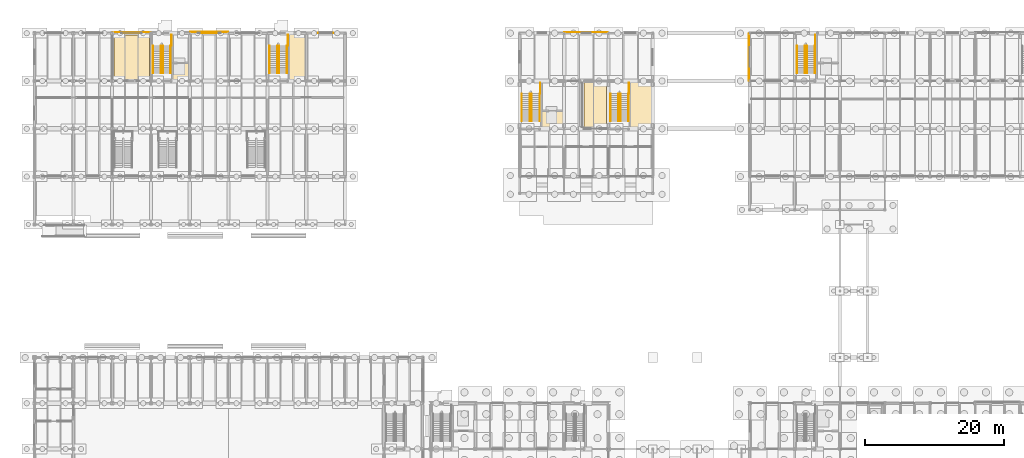
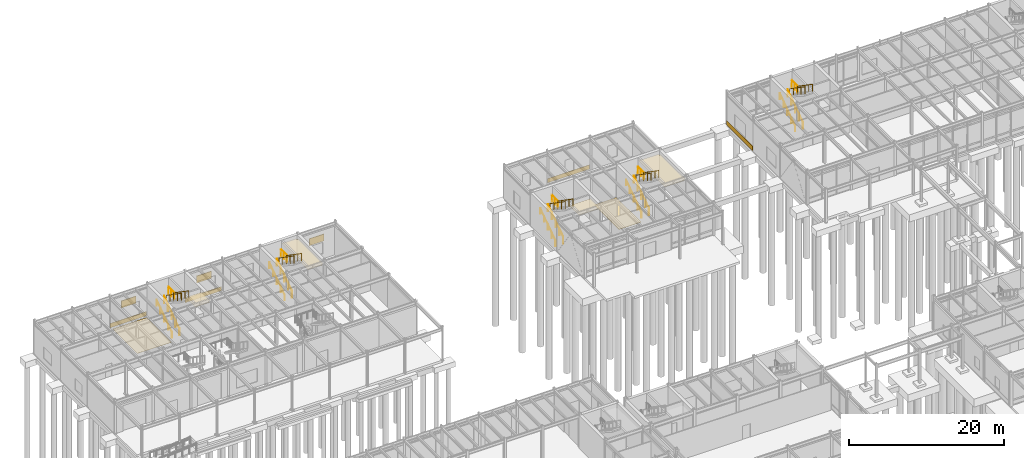
# One storey, part 80 of 82: 25 railings, 10 coverings, 3 shading devices.
"""IFC4 building model written with IfcOpenShell, lengths in metres."""

from ifc_helpers import new_model, si_unit, direction, frame, origin, origin_2d, place, context, subcontext, project, spatial, polyline, rectangle, circle, outline, extrude, material, layer, layer_set, type_object, element, save


model = new_model("IFC4")

# Units and contexts
model_context = context("Model", 3, precision=1e-05, world=origin(), true_north=direction((0.0, 1.0)))
body_context = subcontext(model_context, "Body", "Model", "MODEL_VIEW")
ifc_project = project(units=[si_unit("LENGTHUNIT", "METRE"), si_unit("AREAUNIT", "SQUARE_METRE"), si_unit("VOLUMEUNIT", "CUBIC_METRE"), si_unit("PLANEANGLEUNIT", "RADIAN"), si_unit("MASSUNIT", "GRAM", prefix="KILO")], contexts=[model_context])

# Site, building, storey
site_placement = place(None, origin())
site = spatial("IfcSite", under=ifc_project, at=site_placement, CompositionType="ELEMENT")
building_placement = place(site_placement, origin())
building = spatial("IfcBuilding", under=site, at=building_placement, Name="Trelmorton Wharf Fire Station", CompositionType="ELEMENT")
storey_placement = place(building_placement, origin())
storey = spatial("IfcBuildingStorey", under=building, at=storey_placement, Name="L00", CompositionType="ELEMENT", Elevation=0.0)

# Coverings
ifc_material_1 = material(Name="Mineral fibre acoustic ceiling")
ifc_layer_1 = layer(ifc_material_1, 0.02001953125)
ifc_layer_set_1 = layer_set([ifc_layer_1], Name="Mineral fibre acoustic ceiling")
covering_type_1 = type_object("IfcCoveringType", Name="CV_CEIL_ACOU", PredefinedType="CEILING", material=ifc_layer_set_1)
covering_1_placement = place(storey_placement, frame((0.0, 0.0, 4.47998046875)))
element("IfcCovering", 1, at=covering_1_placement, inside=storey, type_object=covering_type_1, Name="CV-CLG-029", PredefinedType="CEILING", context=body_context, shape_type="SweptSolid", body=[
    extrude(outline(polyline([(20.760009765625, 74.139892578125), (20.760009765625, 76.659912109375), (23.159912109375, 76.659912109375), (23.159912109375, 74.39990234375), (22.89990234375, 74.39990234375), (22.89990234375, 74.139892578125), (20.760009765625, 74.139892578125)])), origin(), (0.0, 0.0, 1.0), 0.02001953125),
])
covering_2_placement = place(storey_placement, frame((0.0, 0.0, 4.47998046875)))
element("IfcCovering", 2, at=covering_2_placement, inside=storey, type_object=covering_type_1, Name="CV-CLG-032", PredefinedType="CEILING", context=body_context, shape_type="SweptSolid", body=[
    extrude(outline(polyline([(37.56005859375, 80.9599609375), (39.699951171875, 80.9599609375), (39.699951171875, 80.699951171875), (39.9599609375, 80.699951171875), (39.9599609375, 74.39990234375), (39.699951171875, 74.39990234375), (39.699951171875, 74.139892578125), (37.56005859375, 74.139892578125), (37.56005859375, 80.9599609375)])), origin(), (0.0, 0.0, 1.0), 0.02001953125),
])
covering_3_placement = place(storey_placement, frame((0.0, 0.0, 4.47998046875)))
element("IfcCovering", 3, at=covering_3_placement, inside=storey, type_object=covering_type_1, Name="CV-CLG-034", PredefinedType="CEILING", context=body_context, shape_type="SweptSolid", body=[
    extrude(outline(polyline([(73.9599609375, 67.239990234375), (73.9599609375, 69.760009765625), (77.159912109375, 69.760009765625), (77.159912109375, 67.5), (76.89990234375, 67.5), (76.89990234375, 67.239990234375), (73.9599609375, 67.239990234375)])), origin(), (0.0, 0.0, 1.0), 0.02001953125),
])
covering_4_placement = place(storey_placement, frame((0.0, 0.0, 4.47998046875)))
element("IfcCovering", 4, at=covering_4_placement, inside=storey, type_object=covering_type_1, Name="CV-CLG-041", PredefinedType="CEILING", context=body_context, shape_type="SweptSolid", body=[
    extrude(outline(polyline([(86.760009765625, 74.06005859375), (89.699951171875, 74.06005859375), (89.699951171875, 73.800048828125), (89.9599609375, 73.800048828125), (89.9599609375, 67.5), (89.699951171875, 67.5), (89.699951171875, 67.239990234375), (86.760009765625, 67.239990234375), (86.760009765625, 74.06005859375)])), origin(), (0.0, 0.0, 1.0), 0.02001953125),
])
ifc_material_2 = material(Name="Architectural terracotta cladding", Category="masonry")
ifc_layer_2 = layer(ifc_material_2, 0.044921875)
ifc_layer_set_2 = layer_set([ifc_layer_2], Name="Architectural terracotta cladding")
covering_type_2 = type_object("IfcCoveringType", Name="CV_CLAD_TER", PredefinedType="CLADDING", material=ifc_layer_set_2)
for number, where, z_axis, x_axis, name in (
    (5, (14.800048828125, 81.135009765625, 0.0302734375), (0.0, 0.0, 1.0), (1.0, 0.0, 0.0), "CV-TER-0021"),
    (6, (26.0, 81.1650390625, 0.0302734375), (0.0, 0.0, 1.0), (1.0, 0.0, 0.0), "CV-TER-0022"),
):
    element("IfcCovering", number, at=place(storey_placement, frame(where, z_axis=z_axis, x_axis=x_axis)), inside=storey, type_object=covering_type_2, Name=name, PredefinedType="CLADDING", context=body_context, shape_type="SweptSolid", body=[
        extrude(rectangle(XDim=5.469970703125, YDim=0.044921875, at=origin_2d()), origin(), (0.0, 0.0, 1.0), 0.659912109375),
    ])
covering_5_placement = place(storey_placement, frame((80.39990234375, 81.135009765625, 0.0302734375), z_axis=(0.0, 0.0, 1.0), x_axis=(1.0, 0.0, 0.0)))
element("IfcCovering", 7, at=covering_5_placement, inside=storey, type_object=covering_type_2, Name="CV-TER-0027", PredefinedType="CLADDING", context=body_context, shape_type="SweptSolid", body=[
    extrude(rectangle(XDim=6.27001953125, YDim=0.044921875, at=origin_2d()), origin(), (0.0, 0.0, 1.0), 0.659912109375),
])
covering_6_placement = place(storey_placement, frame((103.864990234375, 77.550048828125, 0.0302734375), z_axis=(0.0, 0.0, 1.0), x_axis=(0.0, 1.0, 0.0)))
element("IfcCovering", 8, at=covering_6_placement, inside=storey, type_object=covering_type_2, Name="CV-TER-0037", PredefinedType="CLADDING", context=body_context, shape_type="SweptSolid", body=[
    extrude(rectangle(XDim=6.77001953125, YDim=0.044921875, at=origin_2d()), origin(), (0.0, 0.0, 1.0), 0.659912109375),
])
ifc_material_3 = material(Name="Quarry tile wet-area flooring")
ifc_layer_3 = layer(ifc_material_3, 0.02001953125)
ifc_layer_set_3 = layer_set([ifc_layer_3], Name="Quarry tile wet-area flooring")
covering_type_3 = type_object("IfcCoveringType", Name="CV_FLOR_TILE", PredefinedType="FLOORING", material=ifc_layer_set_3)
covering_7_placement = place(storey_placement, origin())
element("IfcCovering", 9, at=covering_7_placement, inside=storey, type_object=covering_type_3, Name="CV-FLR-020", PredefinedType="FLOORING", context=body_context, shape_type="SweptSolid", body=[
    extrude(outline(polyline([(17.35009765625, 74.35009765625), (17.35009765625, 80.75), (12.25, 80.75), (12.25, 74.35009765625), (17.35009765625, 74.35009765625)])), origin(), (0.0, 0.0, 1.0), 0.02001953125),
])
covering_8_placement = place(storey_placement, origin())
element("IfcCovering", 10, at=covering_8_placement, inside=storey, type_object=covering_type_3, Name="CV-FLR-022", PredefinedType="FLOORING", context=body_context, shape_type="SweptSolid", body=[
    extrude(outline(polyline([(83.35009765625, 67.449951171875), (83.35009765625, 73.85009765625), (80.050048828125, 73.85009765625), (80.050048828125, 67.449951171875), (83.35009765625, 67.449951171875)])), origin(), (0.0, 0.0, 1.0), 0.02001953125),
])

# Railings
ifc_material_4 = material(Name="Stainless steel 316 marine grade", Category="steel")
railing_type_1 = type_object("IfcRailingType", Name="RL_HAND_900", PredefinedType="HANDRAIL", material=ifc_material_4)
for number, where, name in (
    (11, (17.909912109375, 75.239990234375, 0.0), "RL-HR1-STR-C5-L00-18"),
    (12, (34.7099609375, 75.239990234375, 0.0), "RL-HR1-STR-C5B-L00-20"),
    (13, (71.110107421875, 68.340087890625, 0.0), "RL-HR1-STR-C6-L00-21"),
    (14, (83.909912109375, 68.340087890625, 0.0), "RL-HR1-STR-C6B-L00-27"),
    (15, (110.81005859375, 75.239990234375, 0.0), "RL-HR1-STR-C7-L00-33"),
):
    element("IfcRailing", number, at=place(storey_placement, frame(where)), inside=storey, type_object=railing_type_1, Name=name, PredefinedType="HANDRAIL", context=body_context, shape_type="SweptSolid", body=[
        extrude(circle(Radius=0.02099609375, at=origin_2d()), frame((0.0, 0.0, 0.87890625), z_axis=(0.0, 0.823550731654, 0.567242622158), x_axis=(-1.0, 0.0, 0.0)), (0.0, 0.0, 1.0), 4.759765625),
        extrude(circle(Radius=0.02099609375, at=origin_2d()), origin(), (0.0, 0.0, 1.0), 0.85791015625),
        extrude(circle(Radius=0.02099609375, at=origin_2d()), frame((0.0, 0.97998046875, 0.675048828125)), (0.0, 0.0, 1.0), 0.85791015625),
        extrude(circle(Radius=0.02099609375, at=origin_2d()), frame((0.0, 1.9599609375, 1.35009765625)), (0.0, 0.0, 1.0), 0.85791015625),
        extrude(circle(Radius=0.02099609375, at=origin_2d()), frame((0.0, 2.93994140625, 2.02490234375)), (0.0, 0.0, 1.0), 0.85791015625),
        extrude(circle(Radius=0.02099609375, at=origin_2d()), frame((0.0, 3.919921875, 2.699951171875)), (0.0, 0.0, 1.0), 0.85791015625),
    ])
railing_type_2 = type_object("IfcRailingType", Name="RL_WELL_1100", PredefinedType="BALUSTRADE", material=ifc_material_4)
railing_1_placement = place(storey_placement, frame((20.554931640625, 80.735107421875, 2.699951171875)))
element("IfcRailing", 16, at=railing_1_placement, inside=storey, type_object=railing_type_2, Name="RL-GW-OUT1-STR-C5-L00-18", PredefinedType="BALUSTRADE", context=body_context, shape_type="SweptSolid", body=[
    extrude(circle(Radius=0.02392578125, at=origin_2d()), frame((0.0, 0.0, 1.09619140625), z_axis=(0.0, -1.0, 0.0), x_axis=(1.0, 0.0, 0.0)), (0.0, 0.0, 1.0), 1.53515625),
    extrude(circle(Radius=0.02099609375, at=origin_2d()), origin(), (0.0, 0.0, 1.0), 1.072021484375),
    extrude(circle(Radius=0.02099609375, at=origin_2d()), frame((0.0, -0.767578125, 0.0)), (0.0, 0.0, 1.0), 1.072021484375),
    extrude(circle(Radius=0.02099609375, at=origin_2d()), frame((0.0, -1.53515625, 0.0)), (0.0, 0.0, 1.0), 1.072021484375),
])
railing_2_placement = place(storey_placement, frame((20.409912109375, 79.159912109375, 2.699951171875)))
element("IfcRailing", 17, at=railing_2_placement, inside=storey, type_object=railing_type_2, Name="RL-GW-OUT2-STR-C5-L00-18", PredefinedType="BALUSTRADE", context=body_context, shape_type="SweptSolid", body=[
    extrude(circle(Radius=0.02392578125, at=origin_2d()), frame((0.0, 0.0, 1.09619140625), z_axis=(0.0, -0.823550731654, 0.567242622158), x_axis=(1.0, 0.0, 0.0)), (0.0, 0.0, 1.0), 4.759765625),
    extrude(circle(Radius=0.02099609375, at=origin_2d()), origin(), (0.0, 0.0, 1.0), 1.072021484375),
    extrude(circle(Radius=0.02099609375, at=origin_2d()), frame((0.0, -0.97998046875, 0.675048828125)), (0.0, 0.0, 1.0), 1.072021484375),
    extrude(circle(Radius=0.02099609375, at=origin_2d()), frame((0.0, -1.9599609375, 1.35009765625)), (0.0, 0.0, 1.0), 1.072021484375),
    extrude(circle(Radius=0.02099609375, at=origin_2d()), frame((0.0, -2.93994140625, 2.02490234375)), (0.0, 0.0, 1.0), 1.072021484375),
    extrude(circle(Radius=0.02099609375, at=origin_2d()), frame((0.0, -3.919921875, 2.699951171875)), (0.0, 0.0, 1.0), 1.072021484375),
])
railing_3_placement = place(storey_placement, frame((19.010009765625, 75.239990234375, 0.0)))
element("IfcRailing", 18, at=railing_3_placement, inside=storey, type_object=railing_type_2, Name="RL-GW-IN1-STR-C5-L00-18", PredefinedType="BALUSTRADE", context=body_context, shape_type="SweptSolid", body=[
    extrude(circle(Radius=0.02392578125, at=origin_2d()), frame((0.0, 0.0, 1.09619140625), z_axis=(0.0, 0.823550731654, 0.567242622158), x_axis=(-1.0, 0.0, 0.0)), (0.0, 0.0, 1.0), 4.759765625),
    extrude(circle(Radius=0.02099609375, at=origin_2d()), origin(), (0.0, 0.0, 1.0), 1.072021484375),
    extrude(circle(Radius=0.02099609375, at=origin_2d()), frame((0.0, 0.97998046875, 0.675048828125)), (0.0, 0.0, 1.0), 1.072021484375),
    extrude(circle(Radius=0.02099609375, at=origin_2d()), frame((0.0, 1.9599609375, 1.35009765625)), (0.0, 0.0, 1.0), 1.072021484375),
    extrude(circle(Radius=0.02099609375, at=origin_2d()), frame((0.0, 2.93994140625, 2.02490234375)), (0.0, 0.0, 1.0), 1.072021484375),
    extrude(circle(Radius=0.02099609375, at=origin_2d()), frame((0.0, 3.919921875, 2.699951171875)), (0.0, 0.0, 1.0), 1.072021484375),
])
railing_4_placement = place(storey_placement, frame((19.31005859375, 79.159912109375, 2.699951171875)))
element("IfcRailing", 19, at=railing_4_placement, inside=storey, type_object=railing_type_2, Name="RL-GW-IN2-STR-C5-L00-18", PredefinedType="BALUSTRADE", context=body_context, shape_type="SweptSolid", body=[
    extrude(circle(Radius=0.02392578125, at=origin_2d()), frame((0.0, 0.0, 1.09619140625), z_axis=(0.0, -0.823550731654, 0.567242622158), x_axis=(1.0, 0.0, 0.0)), (0.0, 0.0, 1.0), 4.759765625),
    extrude(circle(Radius=0.02099609375, at=origin_2d()), origin(), (0.0, 0.0, 1.0), 1.072021484375),
    extrude(circle(Radius=0.02099609375, at=origin_2d()), frame((0.0, -0.97998046875, 0.675048828125)), (0.0, 0.0, 1.0), 1.072021484375),
    extrude(circle(Radius=0.02099609375, at=origin_2d()), frame((0.0, -1.9599609375, 1.35009765625)), (0.0, 0.0, 1.0), 1.072021484375),
    extrude(circle(Radius=0.02099609375, at=origin_2d()), frame((0.0, -2.93994140625, 2.02490234375)), (0.0, 0.0, 1.0), 1.072021484375),
    extrude(circle(Radius=0.02099609375, at=origin_2d()), frame((0.0, -3.919921875, 2.699951171875)), (0.0, 0.0, 1.0), 1.072021484375),
])
railing_5_placement = place(storey_placement, frame((37.35498046875, 80.735107421875, 2.699951171875)))
element("IfcRailing", 20, at=railing_5_placement, inside=storey, type_object=railing_type_2, Name="RL-GW-OUT1-STR-C5B-L00-20", PredefinedType="BALUSTRADE", context=body_context, shape_type="SweptSolid", body=[
    extrude(circle(Radius=0.02392578125, at=origin_2d()), frame((0.0, 0.0, 1.09619140625), z_axis=(0.0, -1.0, 0.0), x_axis=(1.0, 0.0, 0.0)), (0.0, 0.0, 1.0), 1.53515625),
    extrude(circle(Radius=0.02099609375, at=origin_2d()), origin(), (0.0, 0.0, 1.0), 1.072021484375),
    extrude(circle(Radius=0.02099609375, at=origin_2d()), frame((0.0, -0.767578125, 0.0)), (0.0, 0.0, 1.0), 1.072021484375),
    extrude(circle(Radius=0.02099609375, at=origin_2d()), frame((0.0, -1.53515625, 0.0)), (0.0, 0.0, 1.0), 1.072021484375),
])
railing_6_placement = place(storey_placement, frame((37.2099609375, 79.159912109375, 2.699951171875)))
element("IfcRailing", 21, at=railing_6_placement, inside=storey, type_object=railing_type_2, Name="RL-GW-OUT2-STR-C5B-L00-20", PredefinedType="BALUSTRADE", context=body_context, shape_type="SweptSolid", body=[
    extrude(circle(Radius=0.02392578125, at=origin_2d()), frame((0.0, 0.0, 1.09619140625), z_axis=(0.0, -0.823550731654, 0.567242622158), x_axis=(1.0, 0.0, 0.0)), (0.0, 0.0, 1.0), 4.759765625),
    extrude(circle(Radius=0.02099609375, at=origin_2d()), origin(), (0.0, 0.0, 1.0), 1.072021484375),
    extrude(circle(Radius=0.02099609375, at=origin_2d()), frame((0.0, -0.97998046875, 0.675048828125)), (0.0, 0.0, 1.0), 1.072021484375),
    extrude(circle(Radius=0.02099609375, at=origin_2d()), frame((0.0, -1.9599609375, 1.35009765625)), (0.0, 0.0, 1.0), 1.072021484375),
    extrude(circle(Radius=0.02099609375, at=origin_2d()), frame((0.0, -2.93994140625, 2.02490234375)), (0.0, 0.0, 1.0), 1.072021484375),
    extrude(circle(Radius=0.02099609375, at=origin_2d()), frame((0.0, -3.919921875, 2.699951171875)), (0.0, 0.0, 1.0), 1.072021484375),
])
railing_7_placement = place(storey_placement, frame((35.81005859375, 75.239990234375, 0.0)))
element("IfcRailing", 22, at=railing_7_placement, inside=storey, type_object=railing_type_2, Name="RL-GW-IN1-STR-C5B-L00-20", PredefinedType="BALUSTRADE", context=body_context, shape_type="SweptSolid", body=[
    extrude(circle(Radius=0.02392578125, at=origin_2d()), frame((0.0, 0.0, 1.09619140625), z_axis=(0.0, 0.823550731654, 0.567242622158), x_axis=(-1.0, 0.0, 0.0)), (0.0, 0.0, 1.0), 4.759765625),
    extrude(circle(Radius=0.02099609375, at=origin_2d()), origin(), (0.0, 0.0, 1.0), 1.072021484375),
    extrude(circle(Radius=0.02099609375, at=origin_2d()), frame((0.0, 0.97998046875, 0.675048828125)), (0.0, 0.0, 1.0), 1.072021484375),
    extrude(circle(Radius=0.02099609375, at=origin_2d()), frame((0.0, 1.9599609375, 1.35009765625)), (0.0, 0.0, 1.0), 1.072021484375),
    extrude(circle(Radius=0.02099609375, at=origin_2d()), frame((0.0, 2.93994140625, 2.02490234375)), (0.0, 0.0, 1.0), 1.072021484375),
    extrude(circle(Radius=0.02099609375, at=origin_2d()), frame((0.0, 3.919921875, 2.699951171875)), (0.0, 0.0, 1.0), 1.072021484375),
])
railing_8_placement = place(storey_placement, frame((36.110107421875, 79.159912109375, 2.699951171875)))
element("IfcRailing", 23, at=railing_8_placement, inside=storey, type_object=railing_type_2, Name="RL-GW-IN2-STR-C5B-L00-20", PredefinedType="BALUSTRADE", context=body_context, shape_type="SweptSolid", body=[
    extrude(circle(Radius=0.02392578125, at=origin_2d()), frame((0.0, 0.0, 1.09619140625), z_axis=(0.0, -0.823550731654, 0.567242622158), x_axis=(1.0, 0.0, 0.0)), (0.0, 0.0, 1.0), 4.759765625),
    extrude(circle(Radius=0.02099609375, at=origin_2d()), origin(), (0.0, 0.0, 1.0), 1.072021484375),
    extrude(circle(Radius=0.02099609375, at=origin_2d()), frame((0.0, -0.97998046875, 0.675048828125)), (0.0, 0.0, 1.0), 1.072021484375),
    extrude(circle(Radius=0.02099609375, at=origin_2d()), frame((0.0, -1.9599609375, 1.35009765625)), (0.0, 0.0, 1.0), 1.072021484375),
    extrude(circle(Radius=0.02099609375, at=origin_2d()), frame((0.0, -2.93994140625, 2.02490234375)), (0.0, 0.0, 1.0), 1.072021484375),
    extrude(circle(Radius=0.02099609375, at=origin_2d()), frame((0.0, -3.919921875, 2.699951171875)), (0.0, 0.0, 1.0), 1.072021484375),
])
railing_9_placement = place(storey_placement, frame((73.7548828125, 73.8349609375, 2.699951171875)))
element("IfcRailing", 24, at=railing_9_placement, inside=storey, type_object=railing_type_2, Name="RL-GW-OUT1-STR-C6-L00-21", PredefinedType="BALUSTRADE", context=body_context, shape_type="SweptSolid", body=[
    extrude(circle(Radius=0.02392578125, at=origin_2d()), frame((0.0, 0.0, 1.09619140625), z_axis=(0.0, -1.0, 0.0), x_axis=(1.0, 0.0, 0.0)), (0.0, 0.0, 1.0), 1.534912109375),
    extrude(circle(Radius=0.02099609375, at=origin_2d()), origin(), (0.0, 0.0, 1.0), 1.072021484375),
    extrude(circle(Radius=0.02099609375, at=origin_2d()), frame((0.0, -0.767578125, 0.0)), (0.0, 0.0, 1.0), 1.072021484375),
    extrude(circle(Radius=0.02099609375, at=origin_2d()), frame((0.0, -1.534912109375, 0.0)), (0.0, 0.0, 1.0), 1.072021484375),
])
railing_10_placement = place(storey_placement, frame((73.68994140625, 72.260009765625, 2.699951171875)))
element("IfcRailing", 25, at=railing_10_placement, inside=storey, type_object=railing_type_2, Name="RL-GW-OUT2-STR-C6-L00-21", PredefinedType="BALUSTRADE", context=body_context, shape_type="SweptSolid", body=[
    extrude(circle(Radius=0.02392578125, at=origin_2d()), frame((0.0, 0.0, 1.09619140625), z_axis=(0.0, -0.823550731654, 0.567242622158), x_axis=(1.0, 0.0, 0.0)), (0.0, 0.0, 1.0), 4.759765625),
    extrude(circle(Radius=0.02099609375, at=origin_2d()), origin(), (0.0, 0.0, 1.0), 1.072021484375),
    extrude(circle(Radius=0.02099609375, at=origin_2d()), frame((0.0, -0.97998046875, 0.675048828125)), (0.0, 0.0, 1.0), 1.072021484375),
    extrude(circle(Radius=0.02099609375, at=origin_2d()), frame((0.0, -1.9599609375, 1.35009765625)), (0.0, 0.0, 1.0), 1.072021484375),
    extrude(circle(Radius=0.02099609375, at=origin_2d()), frame((0.0, -2.93994140625, 2.02490234375)), (0.0, 0.0, 1.0), 1.072021484375),
    extrude(circle(Radius=0.02099609375, at=origin_2d()), frame((0.0, -3.919921875, 2.699951171875)), (0.0, 0.0, 1.0), 1.072021484375),
])
railing_11_placement = place(storey_placement, frame((72.25, 68.340087890625, 0.0)))
element("IfcRailing", 26, at=railing_11_placement, inside=storey, type_object=railing_type_2, Name="RL-GW-IN1-STR-C6-L00-21", PredefinedType="BALUSTRADE", context=body_context, shape_type="SweptSolid", body=[
    extrude(circle(Radius=0.02392578125, at=origin_2d()), frame((0.0, 0.0, 1.09619140625), z_axis=(0.0, 0.823550731654, 0.567242622158), x_axis=(-1.0, 0.0, 0.0)), (0.0, 0.0, 1.0), 4.759765625),
    extrude(circle(Radius=0.02099609375, at=origin_2d()), origin(), (0.0, 0.0, 1.0), 1.072021484375),
    extrude(circle(Radius=0.02099609375, at=origin_2d()), frame((0.0, 0.97998046875, 0.675048828125)), (0.0, 0.0, 1.0), 1.072021484375),
    extrude(circle(Radius=0.02099609375, at=origin_2d()), frame((0.0, 1.9599609375, 1.35009765625)), (0.0, 0.0, 1.0), 1.072021484375),
    extrude(circle(Radius=0.02099609375, at=origin_2d()), frame((0.0, 2.93994140625, 2.02490234375)), (0.0, 0.0, 1.0), 1.072021484375),
    extrude(circle(Radius=0.02099609375, at=origin_2d()), frame((0.0, 3.919921875, 2.699951171875)), (0.0, 0.0, 1.0), 1.072021484375),
])
railing_12_placement = place(storey_placement, frame((72.550048828125, 72.260009765625, 2.699951171875)))
element("IfcRailing", 27, at=railing_12_placement, inside=storey, type_object=railing_type_2, Name="RL-GW-IN2-STR-C6-L00-21", PredefinedType="BALUSTRADE", context=body_context, shape_type="SweptSolid", body=[
    extrude(circle(Radius=0.02392578125, at=origin_2d()), frame((0.0, 0.0, 1.09619140625), z_axis=(0.0, -0.823550731654, 0.567242622158), x_axis=(1.0, 0.0, 0.0)), (0.0, 0.0, 1.0), 4.759765625),
    extrude(circle(Radius=0.02099609375, at=origin_2d()), origin(), (0.0, 0.0, 1.0), 1.072021484375),
    extrude(circle(Radius=0.02099609375, at=origin_2d()), frame((0.0, -0.97998046875, 0.675048828125)), (0.0, 0.0, 1.0), 1.072021484375),
    extrude(circle(Radius=0.02099609375, at=origin_2d()), frame((0.0, -1.9599609375, 1.35009765625)), (0.0, 0.0, 1.0), 1.072021484375),
    extrude(circle(Radius=0.02099609375, at=origin_2d()), frame((0.0, -2.93994140625, 2.02490234375)), (0.0, 0.0, 1.0), 1.072021484375),
    extrude(circle(Radius=0.02099609375, at=origin_2d()), frame((0.0, -3.919921875, 2.699951171875)), (0.0, 0.0, 1.0), 1.072021484375),
])
railing_13_placement = place(storey_placement, frame((86.554931640625, 73.8349609375, 2.699951171875)))
element("IfcRailing", 28, at=railing_13_placement, inside=storey, type_object=railing_type_2, Name="RL-GW-OUT1-STR-C6B-L00-27", PredefinedType="BALUSTRADE", context=body_context, shape_type="SweptSolid", body=[
    extrude(circle(Radius=0.02392578125, at=origin_2d()), frame((0.0, 0.0, 1.09619140625), z_axis=(0.0, -1.0, 0.0), x_axis=(1.0, 0.0, 0.0)), (0.0, 0.0, 1.0), 1.534912109375),
    extrude(circle(Radius=0.02099609375, at=origin_2d()), origin(), (0.0, 0.0, 1.0), 1.072021484375),
    extrude(circle(Radius=0.02099609375, at=origin_2d()), frame((0.0, -0.767578125, 0.0)), (0.0, 0.0, 1.0), 1.072021484375),
    extrude(circle(Radius=0.02099609375, at=origin_2d()), frame((0.0, -1.534912109375, 0.0)), (0.0, 0.0, 1.0), 1.072021484375),
])
railing_14_placement = place(storey_placement, frame((86.489990234375, 72.260009765625, 2.699951171875)))
element("IfcRailing", 29, at=railing_14_placement, inside=storey, type_object=railing_type_2, Name="RL-GW-OUT2-STR-C6B-L00-27", PredefinedType="BALUSTRADE", context=body_context, shape_type="SweptSolid", body=[
    extrude(circle(Radius=0.02392578125, at=origin_2d()), frame((0.0, 0.0, 1.09619140625), z_axis=(0.0, -0.823550731654, 0.567242622158), x_axis=(1.0, 0.0, 0.0)), (0.0, 0.0, 1.0), 4.759765625),
    extrude(circle(Radius=0.02099609375, at=origin_2d()), origin(), (0.0, 0.0, 1.0), 1.072021484375),
    extrude(circle(Radius=0.02099609375, at=origin_2d()), frame((0.0, -0.97998046875, 0.675048828125)), (0.0, 0.0, 1.0), 1.072021484375),
    extrude(circle(Radius=0.02099609375, at=origin_2d()), frame((0.0, -1.9599609375, 1.35009765625)), (0.0, 0.0, 1.0), 1.072021484375),
    extrude(circle(Radius=0.02099609375, at=origin_2d()), frame((0.0, -2.93994140625, 2.02490234375)), (0.0, 0.0, 1.0), 1.072021484375),
    extrude(circle(Radius=0.02099609375, at=origin_2d()), frame((0.0, -3.919921875, 2.699951171875)), (0.0, 0.0, 1.0), 1.072021484375),
])
railing_15_placement = place(storey_placement, frame((85.050048828125, 68.340087890625, 0.0)))
element("IfcRailing", 30, at=railing_15_placement, inside=storey, type_object=railing_type_2, Name="RL-GW-IN1-STR-C6B-L00-27", PredefinedType="BALUSTRADE", context=body_context, shape_type="SweptSolid", body=[
    extrude(circle(Radius=0.02392578125, at=origin_2d()), frame((0.0, 0.0, 1.09619140625), z_axis=(0.0, 0.823550731654, 0.567242622158), x_axis=(-1.0, 0.0, 0.0)), (0.0, 0.0, 1.0), 4.759765625),
    extrude(circle(Radius=0.02099609375, at=origin_2d()), origin(), (0.0, 0.0, 1.0), 1.072021484375),
    extrude(circle(Radius=0.02099609375, at=origin_2d()), frame((0.0, 0.97998046875, 0.675048828125)), (0.0, 0.0, 1.0), 1.072021484375),
    extrude(circle(Radius=0.02099609375, at=origin_2d()), frame((0.0, 1.9599609375, 1.35009765625)), (0.0, 0.0, 1.0), 1.072021484375),
    extrude(circle(Radius=0.02099609375, at=origin_2d()), frame((0.0, 2.93994140625, 2.02490234375)), (0.0, 0.0, 1.0), 1.072021484375),
    extrude(circle(Radius=0.02099609375, at=origin_2d()), frame((0.0, 3.919921875, 2.699951171875)), (0.0, 0.0, 1.0), 1.072021484375),
])
railing_16_placement = place(storey_placement, frame((85.35009765625, 72.260009765625, 2.699951171875)))
element("IfcRailing", 31, at=railing_16_placement, inside=storey, type_object=railing_type_2, Name="RL-GW-IN2-STR-C6B-L00-27", PredefinedType="BALUSTRADE", context=body_context, shape_type="SweptSolid", body=[
    extrude(circle(Radius=0.02392578125, at=origin_2d()), frame((0.0, 0.0, 1.09619140625), z_axis=(0.0, -0.823550731654, 0.567242622158), x_axis=(1.0, 0.0, 0.0)), (0.0, 0.0, 1.0), 4.759765625),
    extrude(circle(Radius=0.02099609375, at=origin_2d()), origin(), (0.0, 0.0, 1.0), 1.072021484375),
    extrude(circle(Radius=0.02099609375, at=origin_2d()), frame((0.0, -0.97998046875, 0.675048828125)), (0.0, 0.0, 1.0), 1.072021484375),
    extrude(circle(Radius=0.02099609375, at=origin_2d()), frame((0.0, -1.9599609375, 1.35009765625)), (0.0, 0.0, 1.0), 1.072021484375),
    extrude(circle(Radius=0.02099609375, at=origin_2d()), frame((0.0, -2.93994140625, 2.02490234375)), (0.0, 0.0, 1.0), 1.072021484375),
    extrude(circle(Radius=0.02099609375, at=origin_2d()), frame((0.0, -3.919921875, 2.699951171875)), (0.0, 0.0, 1.0), 1.072021484375),
])
railing_17_placement = place(storey_placement, frame((113.455078125, 80.735107421875, 2.699951171875)))
element("IfcRailing", 32, at=railing_17_placement, inside=storey, type_object=railing_type_2, Name="RL-GW-OUT1-STR-C7-L00-33", PredefinedType="BALUSTRADE", context=body_context, shape_type="SweptSolid", body=[
    extrude(circle(Radius=0.02392578125, at=origin_2d()), frame((0.0, 0.0, 1.09619140625), z_axis=(0.0, -1.0, 0.0), x_axis=(1.0, 0.0, 0.0)), (0.0, 0.0, 1.0), 1.53515625),
    extrude(circle(Radius=0.02099609375, at=origin_2d()), origin(), (0.0, 0.0, 1.0), 1.072021484375),
    extrude(circle(Radius=0.02099609375, at=origin_2d()), frame((0.0, -0.767578125, 0.0)), (0.0, 0.0, 1.0), 1.072021484375),
    extrude(circle(Radius=0.02099609375, at=origin_2d()), frame((0.0, -1.53515625, 0.0)), (0.0, 0.0, 1.0), 1.072021484375),
])
railing_18_placement = place(storey_placement, frame((113.389892578125, 79.159912109375, 2.699951171875)))
element("IfcRailing", 33, at=railing_18_placement, inside=storey, type_object=railing_type_2, Name="RL-GW-OUT2-STR-C7-L00-33", PredefinedType="BALUSTRADE", context=body_context, shape_type="SweptSolid", body=[
    extrude(circle(Radius=0.02392578125, at=origin_2d()), frame((0.0, 0.0, 1.09619140625), z_axis=(0.0, -0.823550731654, 0.567242622158), x_axis=(1.0, 0.0, 0.0)), (0.0, 0.0, 1.0), 4.759765625),
    extrude(circle(Radius=0.02099609375, at=origin_2d()), origin(), (0.0, 0.0, 1.0), 1.072021484375),
    extrude(circle(Radius=0.02099609375, at=origin_2d()), frame((0.0, -0.97998046875, 0.675048828125)), (0.0, 0.0, 1.0), 1.072021484375),
    extrude(circle(Radius=0.02099609375, at=origin_2d()), frame((0.0, -1.9599609375, 1.35009765625)), (0.0, 0.0, 1.0), 1.072021484375),
    extrude(circle(Radius=0.02099609375, at=origin_2d()), frame((0.0, -2.93994140625, 2.02490234375)), (0.0, 0.0, 1.0), 1.072021484375),
    extrude(circle(Radius=0.02099609375, at=origin_2d()), frame((0.0, -3.919921875, 2.699951171875)), (0.0, 0.0, 1.0), 1.072021484375),
])
railing_19_placement = place(storey_placement, frame((111.949951171875, 75.239990234375, 0.0)))
element("IfcRailing", 34, at=railing_19_placement, inside=storey, type_object=railing_type_2, Name="RL-GW-IN1-STR-C7-L00-33", PredefinedType="BALUSTRADE", context=body_context, shape_type="SweptSolid", body=[
    extrude(circle(Radius=0.02392578125, at=origin_2d()), frame((0.0, 0.0, 1.09619140625), z_axis=(0.0, 0.823550731654, 0.567242622158), x_axis=(-1.0, 0.0, 0.0)), (0.0, 0.0, 1.0), 4.759765625),
    extrude(circle(Radius=0.02099609375, at=origin_2d()), origin(), (0.0, 0.0, 1.0), 1.072021484375),
    extrude(circle(Radius=0.02099609375, at=origin_2d()), frame((0.0, 0.97998046875, 0.675048828125)), (0.0, 0.0, 1.0), 1.072021484375),
    extrude(circle(Radius=0.02099609375, at=origin_2d()), frame((0.0, 1.9599609375, 1.35009765625)), (0.0, 0.0, 1.0), 1.072021484375),
    extrude(circle(Radius=0.02099609375, at=origin_2d()), frame((0.0, 2.93994140625, 2.02490234375)), (0.0, 0.0, 1.0), 1.072021484375),
    extrude(circle(Radius=0.02099609375, at=origin_2d()), frame((0.0, 3.919921875, 2.699951171875)), (0.0, 0.0, 1.0), 1.072021484375),
])
railing_20_placement = place(storey_placement, frame((112.25, 79.159912109375, 2.699951171875)))
element("IfcRailing", 35, at=railing_20_placement, inside=storey, type_object=railing_type_2, Name="RL-GW-IN2-STR-C7-L00-33", PredefinedType="BALUSTRADE", context=body_context, shape_type="SweptSolid", body=[
    extrude(circle(Radius=0.02392578125, at=origin_2d()), frame((0.0, 0.0, 1.09619140625), z_axis=(0.0, -0.823550731654, 0.567242622158), x_axis=(1.0, 0.0, 0.0)), (0.0, 0.0, 1.0), 4.759765625),
    extrude(circle(Radius=0.02099609375, at=origin_2d()), origin(), (0.0, 0.0, 1.0), 1.072021484375),
    extrude(circle(Radius=0.02099609375, at=origin_2d()), frame((0.0, -0.97998046875, 0.675048828125)), (0.0, 0.0, 1.0), 1.072021484375),
    extrude(circle(Radius=0.02099609375, at=origin_2d()), frame((0.0, -1.9599609375, 1.35009765625)), (0.0, 0.0, 1.0), 1.072021484375),
    extrude(circle(Radius=0.02099609375, at=origin_2d()), frame((0.0, -2.93994140625, 2.02490234375)), (0.0, 0.0, 1.0), 1.072021484375),
    extrude(circle(Radius=0.02099609375, at=origin_2d()), frame((0.0, -3.919921875, 2.699951171875)), (0.0, 0.0, 1.0), 1.072021484375),
])

# Shading devices
ifc_material_5 = material(Name="Anodised aluminium AW-6063", Category="aluminium")
ifc_layer_4 = layer(ifc_material_5, 0.090087890625)
ifc_layer_set_4 = layer_set([ifc_layer_4], Name="Anodised aluminium AW-6063")
shading_device_type = type_object("IfcShadingDeviceType", Name="SH_JALOUSIE", PredefinedType="JALOUSIE", material=ifc_layer_set_4)
for number, where, z_axis, x_axis, name in (
    (36, (14.800048828125, 81.030029296875, 2.64990234375), (0.0, 0.0, 1.0), (1.0, 0.0, 0.0), "SH-JL-021"),
    (37, (26.0, 81.030029296875, 2.64990234375), (0.0, 0.0, 1.0), (1.0, 0.0, 0.0), "SH-JL-022"),
    (38, (42.800048828125, 81.030029296875, 2.64990234375), (0.0, 0.0, 1.0), (1.0, 0.0, 0.0), "SH-JL-023"),
):
    element("IfcShadingDevice", number, at=place(storey_placement, frame(where, z_axis=z_axis, x_axis=x_axis)), inside=storey, type_object=shading_device_type, Name=name, PredefinedType="JALOUSIE", context=body_context, shape_type="SweptSolid", body=[
        extrude(rectangle(XDim=2.199951171875, YDim=0.090087890625, at=origin_2d()), origin(), (0.0, 0.0, 1.0), 1.10009765625),
    ])

save(model, "model.ifc")
